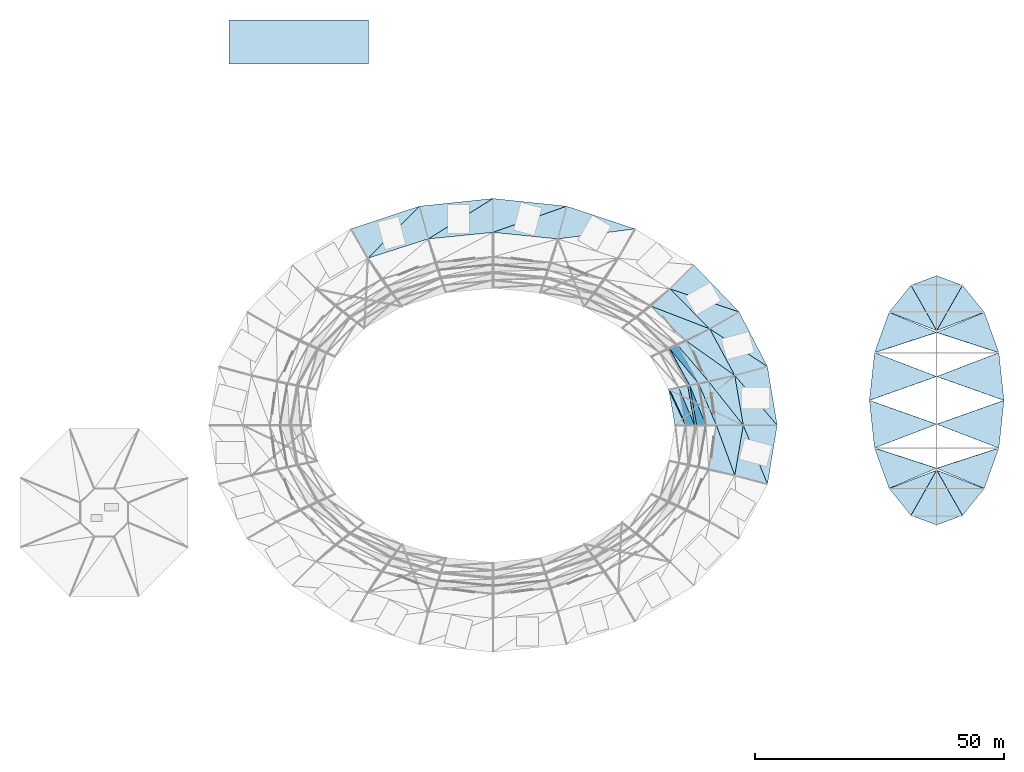
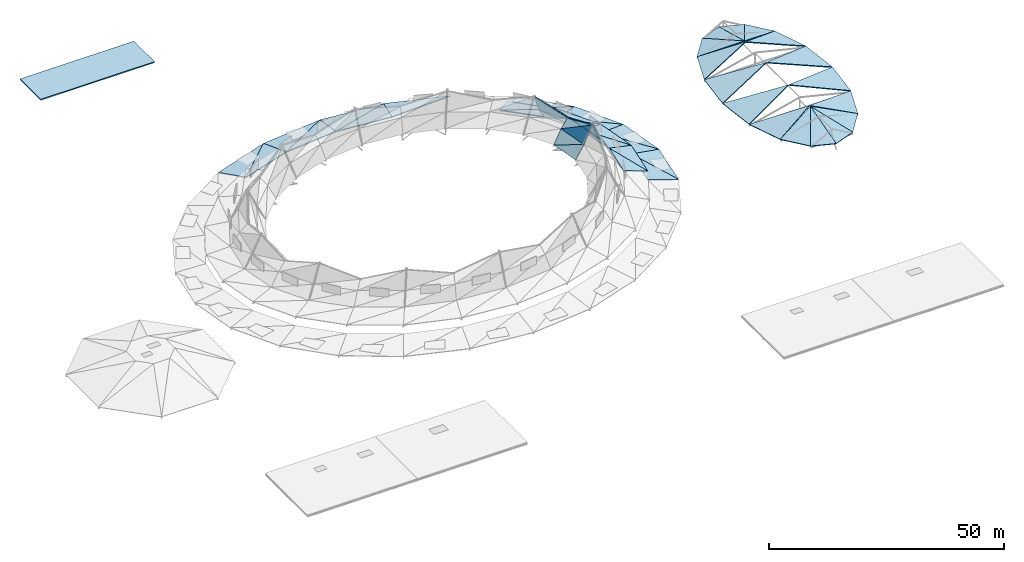
# One storey, part 31 of 36: 52 slabs.
"""IFC4 building model written with IfcOpenShell, lengths in metres."""

from ifc_helpers import new_model, si_unit, direction, frame, origin, place, context, subcontext, project, spatial, polyline, outline, extrude, material, layer, layer_set, type_object, element, save


model = new_model("IFC4")

# Units and contexts
model_context = context("Model", 3, precision=1e-05, world=origin(), true_north=direction((0.0, 1.0)))
body_context = subcontext(model_context, "Body", "Model", "MODEL_VIEW")
ifc_project = project(units=[si_unit("LENGTHUNIT", "METRE"), si_unit("AREAUNIT", "SQUARE_METRE"), si_unit("VOLUMEUNIT", "CUBIC_METRE"), si_unit("PLANEANGLEUNIT", "RADIAN"), si_unit("MASSUNIT", "GRAM", prefix="KILO")], contexts=[model_context])

# Site, building, storey
site_placement = place(None, origin())
site = spatial("IfcSite", under=ifc_project, at=site_placement, CompositionType="ELEMENT")
building_placement = place(site_placement, origin())
building = spatial("IfcBuilding", under=site, at=building_placement, Name="Kildeholm Park Wholesale Market", CompositionType="ELEMENT")
storey_placement = place(building_placement, frame((0.0, 0.0, 17.39990234375)))
storey = spatial("IfcBuildingStorey", under=building, at=storey_placement, Name="Roof", CompositionType="ELEMENT", Elevation=17.39990234375)

# Slabs
ifc_material = material(Name="Concrete C35/45", Category="concrete")
ifc_layer_1 = layer(ifc_material, 0.280029296875)
ifc_layer_set_1 = layer_set([ifc_layer_1], Name="Concrete C35/45")
slab_type_1 = type_object("IfcSlabType", Name="Slab S-RF1 280 mm", PredefinedType="ROOF", material=ifc_layer_set_1)
slab_1_placement = place(storey_placement, frame((0.0, 0.0, -0.39990234375)))
element("IfcSlab", 1, at=slab_1_placement, inside=storey, type_object=slab_type_1, Name="Roof garden conservatory roof slab SLB-0404", PredefinedType="ROOF", context=body_context, shape_type="SweptSolid", body=[
    extrude(outline(polyline([(46.0, 162.0), (74.0, 162.0), (74.0, 170.800048828125), (46.0, 170.800048828125), (46.0, 162.0)])), origin(), (0.0, 0.0, 1.0), 0.280029296875),
])
ifc_layer_2 = layer(ifc_material, 0.219970703125)
ifc_layer_set_2 = layer_set([ifc_layer_2], Name="Concrete C35/45")
slab_type_2 = type_object("IfcSlabType", Name="Slab S-RF2 220 mm", PredefinedType="ROOF", material=ifc_layer_set_2)
slab_2_placement = place(storey_placement, frame((156.0, 89.5, -7.599853515625), z_axis=(0.16527314387, 0.027254272636, 0.985871184556), x_axis=(-0.162706979486, 0.98667443406, 0.0)))
element("IfcSlab", 2, at=slab_2_placement, inside=storey, type_object=slab_type_2, Name="Outer white ceramic rim band 1 sector 1A SLB-0013", PredefinedType="ROOF", context=body_context, shape_type="SweptSolid", body=[
    extrude(outline(polyline([(0.0, 0.0), (11.934918449036942, 2.220446049250313e-16), (11.267439781145972, 6.864873612731286), (0.0, 0.0)])), origin(), (0.0, 0.0, -1.0), 0.219970703125),
])
slab_3_placement = place(storey_placement, frame((156.0, 89.5, -7.599853515625), z_axis=(0.166667353474, 0.028469868209, 0.985602079893), x_axis=(-0.645064804758, 0.759141409598, 0.087153415863)))
element("IfcSlab", 3, at=slab_3_placement, inside=storey, type_object=slab_type_2, Name="Outer white ceramic rim band 1 sector 1B SLB-0014", PredefinedType="ROOF", context=body_context, shape_type="SweptSolid", body=[
    extrude(outline(polyline([(0.0, 0.0), (13.194002006234692, 2.7755575615628914e-16), (4.486690086824522, 5.237609333449421), (0.0, 0.0)])), origin(), (0.0, 0.0, -1.0), 0.219970703125),
])
slab_4_placement = place(storey_placement, frame((149.199951171875, 89.5, -4.199951171875), z_axis=(0.206988876477, 0.035357530501, 0.977704173077), x_axis=(-0.168379597692, 0.985722228156, 0.0)))
element("IfcSlab", 4, at=slab_4_placement, inside=storey, type_object=slab_type_2, Name="Upper white ceramic rim band 2 sector 1A SLB-0015", PredefinedType="ROOF", context=body_context, shape_type="SweptSolid", body=[
    extrude(outline(polyline([(0.0, 0.0), (10.161192468984085, 0.0), (9.789510059718923, 5.477226479887153), (0.0, 0.0)])), origin(), (0.0, 0.0, -1.0), 0.219970703125),
])
slab_5_placement = place(storey_placement, frame((149.199951171875, 89.5, -4.199951171875), z_axis=(0.208183354395, 0.036341451265, 0.977414441203), x_axis=(-0.61751202142, 0.779850236194, 0.102530544282)))
element("IfcSlab", 5, at=slab_5_placement, inside=storey, type_object=slab_type_2, Name="Upper white ceramic rim band 2 sector 1B SLB-0016", PredefinedType="ROOF", context=body_context, shape_type="SweptSolid", body=[
    extrude(outline(polyline([(0.0, 0.0), (11.217598545201865, -5.551115123125783e-17), (3.452429756806185, 4.308423265172087), (0.0, 0.0)])), origin(), (0.0, 0.0, -1.0), 0.219970703125),
])
slab_6_placement = place(storey_placement, frame((143.800048828125, 89.5, -3.0498046875), z_axis=(0.822403491991, 0.143562565372, 0.550492766696), x_axis=(-0.171964181022, 0.985103202941, 0.0)))
element("IfcSlab", 6, at=slab_6_placement, inside=storey, type_object=slab_type_2, Name="Arched gable roof facet 1-LOA SLB-0017", PredefinedType="ROOF", context=body_context, shape_type="SweptSolid", body=[
    extrude(outline(polyline([(0.0, 0.0), (8.880335429709316, -1.1102230246251565e-16), (8.824015839506544, 3.713111211988724), (0.0, 0.0)])), origin(), (0.0, 0.0, -1.0), 0.219970703125),
])
slab_7_placement = place(storey_placement, frame((143.800048828125, 89.5, -3.0498046875), z_axis=(0.822403472037, 0.14356254375, 0.550492802145), x_axis=(-0.368834159579, 0.871272838416, 0.323797782215)))
element("IfcSlab", 7, at=slab_7_placement, inside=storey, type_object=slab_type_2, Name="Arched gable roof facet 1-LOB SLB-0018", PredefinedType="ROOF", context=body_context, shape_type="SweptSolid", body=[
    extrude(outline(polyline([(0.0, 0.0), (9.573424173641252, -4.440892098500626e-16), (1.7690385651948821, 3.2840549232391565), (0.0, 0.0)])), origin(), (0.0, 0.0, -1.0), 0.219970703125),
])
slab_8_placement = place(storey_placement, frame((141.72509765625, 89.5, 0.050048828125), z_axis=(0.713825715212, 0.12460870966, 0.689148400404), x_axis=(-0.171964159938, 0.985103206622, 0.0)))
element("IfcSlab", 8, at=slab_8_placement, inside=storey, type_object=slab_type_2, Name="Arched gable roof facet 1-UOA SLB-0019", PredefinedType="ROOF", context=body_context, shape_type="SweptSolid", body=[
    extrude(outline(polyline([(0.0, 0.0), (8.467198560573395, -1.1102230246251565e-16), (8.41626215504479, 2.648208295654954), (0.0, 0.0)])), origin(), (0.0, 0.0, -1.0), 0.219970703125),
])
slab_9_placement = place(storey_placement, frame((141.72509765625, 89.5, 0.050048828125), z_axis=(0.887586127314, 0.271569952327, 0.37207610457), x_axis=(-0.367799306785, 0.904113342605, 0.21749191629)))
element("IfcSlab", 9, at=slab_9_placement, inside=storey, type_object=slab_type_2, Name="Arched gable roof facet 1-UOB SLB-0020", PredefinedType="ROOF", context=body_context, shape_type="SweptSolid", body=[
    extrude(outline(polyline([(0.0, 0.0), (8.823064991238299, 2.220446049250313e-16), (1.6446728798146282, 4.507445040057246), (0.0, 0.0)])), origin(), (0.0, 0.0, -1.0), 0.219970703125),
])
slab_10_placement = place(storey_placement, frame((139.429931640625, 89.5, 4.47509765625), z_axis=(-0.736923773726, 0.083994905801, 0.670737062877), x_axis=(-0.164661849727, 0.940056245621, -0.298631428877)))
element("IfcSlab", 10, at=slab_10_placement, inside=storey, type_object=slab_type_2, Name="Arched gable roof facet 1-UIA SLB-0021", PredefinedType="ROOF", context=body_context, shape_type="SweptSolid", body=[
    extrude(outline(polyline([(0.0, 0.0), (8.391961706941895, 0.0), (8.917255299751853, 2.595414230313864), (0.0, 0.0)])), origin(), (0.0, 0.0, -1.0), 0.219970703125),
])
slab_11_placement = place(storey_placement, frame((139.429931640625, 89.5, 4.47509765625), z_axis=(-0.910497410658, -0.15910515391, 0.381680514548), x_axis=(-0.341318556742, 0.810237257849, -0.476463250227)))
element("IfcSlab", 11, at=slab_11_placement, inside=storey, type_object=slab_type_2, Name="Arched gable roof facet 1-UIB SLB-0022", PredefinedType="ROOF", context=body_context, shape_type="SweptSolid", body=[
    extrude(outline(polyline([(0.0, 0.0), (9.28728254700309, -4.440892098500626e-16), (2.741512403441939, 3.937781026480321), (0.0, 0.0)])), origin(), (0.0, 0.0, -1.0), 0.219970703125),
])
slab_12_placement = place(storey_placement, frame((137.574951171875, 89.5, 0.050048828125), z_axis=(-0.833860831999, -0.145713271077, 0.532394360873), x_axis=(-0.172136895087, 0.985073037571, 0.0)))
element("IfcSlab", 12, at=slab_12_placement, inside=storey, type_object=slab_type_2, Name="Arched gable roof facet 1-LIA SLB-0023", PredefinedType="ROOF", context=body_context, shape_type="SweptSolid", body=[
    extrude(outline(polyline([(0.0, 0.0), (7.638928340077879, -2.220446049250313e-16), (7.582967129442969, 3.839354541248903), (0.0, 0.0)])), origin(), (0.0, 0.0, -1.0), 0.219970703125),
])
slab_13_placement = place(storey_placement, frame((137.574951171875, 89.5, 0.050048828125), z_axis=(-0.833868142497, -0.145723141349, 0.532380209065), x_axis=(-0.390474192702, 0.837448513185, -0.382374021866)))
element("IfcSlab", 13, at=slab_13_placement, inside=storey, type_object=slab_type_2, Name="Arched gable roof facet 1-LIB SLB-0024", PredefinedType="ROOF", context=body_context, shape_type="SweptSolid", body=[
    extrude(outline(polyline([(0.0, 0.0), (8.499531385883644, 0.0), (2.0529304548001828, 3.263954490096232), (0.0, 0.0)])), origin(), (0.0, 0.0, -1.0), 0.219970703125),
])
slab_14_placement = place(storey_placement, frame((154.05810546875, 101.27587890625, -7.599853515625), z_axis=(0.148141549145, 0.076878707829, 0.98597350152), x_axis=(-0.460622041592, 0.887596380569, 0.0)))
element("IfcSlab", 14, at=slab_14_placement, inside=storey, type_object=slab_type_2, Name="Outer white ceramic rim band 1 sector 2A SLB-0025", PredefinedType="ROOF", context=body_context, shape_type="SweptSolid", body=[
    extrude(outline(polyline([(0.0, 0.0), (12.36386417744238, 0.0), (12.058687680719101, 6.889688707926563), (0.0, 0.0)])), origin(), (0.0, 0.0, -1.0), 0.219970703125),
])
slab_15_placement = place(storey_placement, frame((154.05810546875, 101.27587890625, -7.599853515625), z_axis=(0.150765337382, 0.081002060974, 0.985245390328), x_axis=(-0.834093305664, 0.545374108812, 0.082797577763)))
element("IfcSlab", 15, at=slab_15_placement, inside=storey, type_object=slab_type_2, Name="Outer white ceramic rim band 1 sector 2B SLB-0026", PredefinedType="ROOF", context=body_context, shape_type="SweptSolid", body=[
    extrude(outline(polyline([(0.0, 0.0), (13.888115749562916, 1.1379786002407855e-15), (4.614714011340161, 5.126054241266337), (0.0, 0.0)])), origin(), (0.0, 0.0, -1.0), 0.219970703125),
])
slab_16_placement = place(storey_placement, frame((147.489013671875, 99.51611328125, -4.199951171875), z_axis=(0.187533000933, 0.100756313354, 0.977077038355), x_axis=(-0.473287580572, 0.880907978211, 0.0)))
element("IfcSlab", 16, at=slab_16_placement, inside=storey, type_object=slab_type_2, Name="Upper white ceramic rim band 2 sector 2A SLB-0027", PredefinedType="ROOF", context=body_context, shape_type="SweptSolid", body=[
    extrude(outline(polyline([(0.0, 0.0), (10.595867679566283, 0.0), (10.65057582443242, 5.402639584274721), (0.0, 0.0)])), origin(), (0.0, 0.0, -1.0), 0.219970703125),
])
slab_17_placement = place(storey_placement, frame((147.489013671875, 99.51611328125, -4.199951171875), z_axis=(0.189918860125, 0.104253452747, 0.976248966278), x_axis=(-0.811464841113, 0.576411111504, 0.096307020368)))
element("IfcSlab", 17, at=slab_17_placement, inside=storey, type_object=slab_type_2, Name="Upper white ceramic rim band 2 sector 2B SLB-0028", PredefinedType="ROOF", context=body_context, shape_type="SweptSolid", body=[
    extrude(outline(polyline([(0.0, 0.0), (11.942498895522512, 3.608224830031759e-16), (3.6124925269011197, 4.1337701276701075), (0.0, 0.0)])), origin(), (0.0, 0.0, -1.0), 0.219970703125),
])
slab_18_placement = place(storey_placement, frame((142.27294921875, 98.248046875, -3.0498046875), z_axis=(0.741572301252, 0.407076331526, 0.533253581635), x_axis=(-0.481203038707, 0.876609169208, 0.0)))
element("IfcSlab", 18, at=slab_18_placement, inside=storey, type_object=slab_type_2, Name="Arched gable roof facet 2-LOA SLB-0029", PredefinedType="ROOF", context=body_context, shape_type="SweptSolid", body=[
    extrude(outline(polyline([(0.0, 0.0), (9.299304359450266, 0.0), (9.474310271452685, 3.664322427375304), (0.0, 0.0)])), origin(), (0.0, 0.0, -1.0), 0.219970703125),
])
slab_19_placement = place(storey_placement, frame((142.27294921875, 98.248046875, -3.0498046875), z_axis=(0.741678401193, 0.407301055778, 0.532934329131), x_axis=(-0.61742717677, 0.725026299791, 0.305156592583)))
element("IfcSlab", 19, at=slab_19_placement, inside=storey, type_object=slab_type_2, Name="Arched gable roof facet 2-LOB SLB-0030", PredefinedType="ROOF", context=body_context, shape_type="SweptSolid", body=[
    extrude(outline(polyline([(0.0, 0.0), (10.158238723889072, -4.440892098500626e-16), (1.88813395537198, 3.1977049481477087), (0.0, 0.0)])), origin(), (0.0, 0.0, -1.0), 0.219970703125),
])
slab_20_placement = place(storey_placement, frame((140.26904296875, 97.841064453125, 0.050048828125), z_axis=(0.815245958771, 0.447701509431, 0.36733824353), x_axis=(-0.481354223541, 0.87652616132, 0.0)))
element("IfcSlab", 20, at=slab_20_placement, inside=storey, type_object=slab_type_2, Name="Arched gable roof facet 2-UOA SLB-0031", PredefinedType="ROOF", context=body_context, shape_type="SweptSolid", body=[
    extrude(outline(polyline([(0.0, 0.0), (8.866789149272552, -2.220446049250313e-16), (9.021479592334513, 4.725383250547976), (0.0, 0.0)])), origin(), (0.0, 0.0, -1.0), 0.219970703125),
])
slab_21_placement = place(storey_placement, frame((140.26904296875, 97.841064453125, 0.050048828125), z_axis=(0.707112353238, 0.157998232282, 0.689223242857), x_axis=(-0.575799629285, 0.694416414568, 0.431556056722)))
element("IfcSlab", 21, at=slab_21_placement, inside=storey, type_object=slab_type_2, Name="Arched gable roof facet 2-UOB SLB-0032", PredefinedType="ROOF", context=body_context, shape_type="SweptSolid", body=[
    extrude(outline(polyline([(0.0, 0.0), (10.184121999439492, 0.0), (1.6054969275182156, 2.1066516822468455), (0.0, 0.0)])), origin(), (0.0, 0.0, -1.0), 0.219970703125),
])
slab_22_placement = place(storey_placement, frame((148.363037109375, 112.25, -7.599853515625), z_axis=(0.120236411045, 0.115579224359, 0.985994243571), x_axis=(-0.693006803532, 0.720931044039, 0.0)))
element("IfcSlab", 22, at=slab_22_placement, inside=storey, type_object=slab_type_2, Name="Outer white ceramic rim band 1 sector 3A SLB-0037", PredefinedType="ROOF", context=body_context, shape_type="SweptSolid", body=[
    extrude(outline(polyline([(0.0, 0.0), (13.070730940282242, -8.881784197001252e-16), (12.936299055677074, 6.894752513155697), (0.0, 0.0)])), origin(), (0.0, 0.0, -1.0), 0.219970703125),
])
slab_23_placement = place(storey_placement, frame((148.363037109375, 112.25, -7.599853515625), z_axis=(0.122153016428, 0.121576278862, 0.985036978491), x_axis=(-0.945903114394, 0.314823603687, 0.078443589555)))
element("IfcSlab", 23, at=slab_23_placement, inside=storey, type_object=slab_type_2, Name="Outer white ceramic rim band 1 sector 3B SLB-0038", PredefinedType="ROOF", context=body_context, shape_type="SweptSolid", body=[
    extrude(outline(polyline([(0.0, 0.0), (14.658971501288155, -3.0531133177191805e-16), (4.59017695902169, 5.146962081767215), (0.0, 0.0)])), origin(), (0.0, 0.0, -1.0), 0.219970703125),
])
slab_24_placement = place(storey_placement, frame((142.47412109375, 108.85009765625, -4.199951171875), z_axis=(0.154449000774, 0.153719779807, 0.975969126282), x_axis=(-0.705431576708, 0.708778026313, 0.0)))
element("IfcSlab", 24, at=slab_24_placement, inside=storey, type_object=slab_type_2, Name="Upper white ceramic rim band 2 sector 3A SLB-0039", PredefinedType="ROOF", context=body_context, shape_type="SweptSolid", body=[
    extrude(outline(polyline([(0.0, 0.0), (11.308043252726108, 0.0), (11.546173044470306, 5.278108314587524), (0.0, 0.0)])), origin(), (0.0, 0.0, -1.0), 0.219970703125),
])
slab_25_placement = place(storey_placement, frame((142.47412109375, 108.85009765625, -4.199951171875), z_axis=(0.15640583091, 0.159089692127, 0.974796227894), x_axis=(-0.92916852284, 0.358382858862, 0.090595709814)))
element("IfcSlab", 25, at=slab_25_placement, inside=storey, type_object=slab_type_2, Name="Upper white ceramic rim band 2 sector 3B SLB-0040", PredefinedType="ROOF", context=body_context, shape_type="SweptSolid", body=[
    extrude(outline(polyline([(0.0, 0.0), (12.695374722841807, 8.326672684688674e-16), (3.570905941247749, 4.054644030916692), (0.0, 0.0)])), origin(), (0.0, 0.0, -1.0), 0.219970703125),
])
slab_26_placement = place(storey_placement, frame((127.5, 128.904052734375, -7.599853515625), z_axis=(0.052428977126, 0.158548380453, 0.985958220927), x_axis=(-0.949435985478, 0.313960681424, 0.0)))
element("IfcSlab", 26, at=slab_26_placement, inside=storey, type_object=slab_type_2, Name="Outer white ceramic rim band 1 sector 5A SLB-0061", PredefinedType="ROOF", context=body_context, shape_type="SweptSolid", body=[
    extrude(outline(polyline([(0.0, 0.0), (14.479196620699776, 8.881784197001252e-16), (14.087853340652858, 6.885965418402882), (0.0, 0.0)])), origin(), (0.0, 0.0, -1.0), 0.219970703125),
])
slab_27_placement = place(storey_placement, frame((113.7529296875, 133.449951171875, -7.599853515625), z_axis=(0.017515683595, 0.166709360257, 0.985850490709), x_axis=(-0.99452572496, 0.104492020715, 0.0)))
element("IfcSlab", 27, at=slab_27_placement, inside=storey, type_object=slab_type_2, Name="Outer white ceramic rim band 1 sector 6A SLB-0073", PredefinedType="ROOF", context=body_context, shape_type="SweptSolid", body=[
    extrude(outline(polyline([(0.0, 0.0), (14.834135827000187, 2.220446049250313e-16), (14.123584983988293, 6.859887532936747), (0.0, 0.0)])), origin(), (0.0, 0.0, -1.0), 0.219970703125),
])
slab_28_placement = place(storey_placement, frame((113.7529296875, 133.449951171875, -7.599853515625), z_axis=(0.017050073815, 0.167972580225, 0.985644209274), x_axis=(-0.939593745358, -0.334365259485, 0.073235694391)))
element("IfcSlab", 28, at=slab_28_placement, inside=storey, type_object=slab_type_2, Name="Outer white ceramic rim band 1 sector 6B SLB-0074", PredefinedType="ROOF", context=body_context, shape_type="SweptSolid", body=[
    extrude(outline(polyline([(0.0, 0.0), (15.701391969009643, 1.3877787807814457e-16), (3.9343025152788145, 5.664885967479753), (0.0, 0.0)])), origin(), (0.0, 0.0, -1.0), 0.219970703125),
])
slab_29_placement = place(storey_placement, frame((99.0, 135.0, -7.599853515625), z_axis=(-0.017632307768, 0.1678193564, 0.985660065814), x_axis=(-0.99452572496, -0.104492020715, 0.0)))
element("IfcSlab", 29, at=slab_29_placement, inside=storey, type_object=slab_type_2, Name="Outer white ceramic rim band 1 sector 7A SLB-0085", PredefinedType="ROOF", context=body_context, shape_type="SweptSolid", body=[
    extrude(outline(polyline([(0.0, 0.0), (14.834135827000187, -2.220446049250313e-16), (13.770153004276583, 6.814514645903062), (0.0, 0.0)])), origin(), (0.0, 0.0, -1.0), 0.219970703125),
])
slab_30_placement = place(storey_placement, frame((99.0, 135.0, -7.599853515625), z_axis=(-0.016922023574, 0.166711064899, 0.985860571257), x_axis=(-0.84566900647, -0.528433882827, 0.07484359008)))
element("IfcSlab", 30, at=slab_30_placement, inside=storey, type_object=slab_type_2, Name="Outer white ceramic rim band 1 sector 7B SLB-0086", PredefinedType="ROOF", context=body_context, shape_type="SweptSolid", body=[
    extrude(outline(polyline([(0.0, 0.0), (15.364072494635488, 1.8041124150158794e-15), (3.67943902530677, 5.833066768355692), (0.0, 0.0)])), origin(), (0.0, 0.0, -1.0), 0.219970703125),
])
slab_31_placement = place(storey_placement, frame((84.2470703125, 133.449951171875, -7.599853515625), z_axis=(-0.053426686324, 0.161565513079, 0.985414721918), x_axis=(-0.949435985478, -0.313960681424, 0.0)))
element("IfcSlab", 31, at=slab_31_placement, inside=storey, type_object=slab_type_2, Name="Outer white ceramic rim band 1 sector 8A SLB-0097", PredefinedType="ROOF", context=body_context, shape_type="SweptSolid", body=[
    extrude(outline(polyline([(0.0, 0.0), (14.479196620699776, 0.0), (13.100171724101912, 6.757374418198555), (0.0, 0.0)])), origin(), (0.0, 0.0, -1.0), 0.219970703125),
])
slab_32_placement = place(storey_placement, frame((84.2470703125, 133.449951171875, -7.599853515625), z_axis=(-0.050772176042, 0.158994883943, 0.985973028546), x_axis=(-0.701964278911, -0.707926884272, 0.078010753473)))
element("IfcSlab", 32, at=slab_32_placement, inside=storey, type_object=slab_type_2, Name="Outer white ceramic rim band 1 sector 8B SLB-0098", PredefinedType="ROOF", context=body_context, shape_type="SweptSolid", body=[
    extrude(outline(polyline([(0.0, 0.0), (14.74030556768358, 1.887379141862766e-15), (3.504504616799716, 5.940380181192759), (0.0, 0.0)])), origin(), (0.0, 0.0, -1.0), 0.219970703125),
])
slab_33_placement = place(storey_placement, frame((154.05810546875, 77.72412109375, -7.599853515625), z_axis=(0.166671949768, -0.027484941918, 0.985629260487), x_axis=(0.162706979486, 0.98667443406, 0.0)))
element("IfcSlab", 33, at=slab_33_placement, inside=storey, type_object=slab_type_2, Name="Outer white ceramic rim band 1 sector 24A SLB-0289", PredefinedType="ROOF", context=body_context, shape_type="SweptSolid", body=[
    extrude(outline(polyline([(0.0, 0.0), (11.934918449036942, 0.0), (10.828503043857994, 6.807259684794508), (0.0, 0.0)])), origin(), (0.0, 0.0, -1.0), 0.219970703125),
])
slab_34_placement = place(storey_placement, frame((154.05810546875, 77.72412109375, -7.599853515625), z_axis=(0.165025307564, -0.028189376381, 0.985886406703), x_axis=(-0.379827095461, 0.920678432207, 0.089903292609)))
element("IfcSlab", 34, at=slab_34_placement, inside=storey, type_object=slab_type_2, Name="Outer white ceramic rim band 1 sector 24B SLB-0290", PredefinedType="ROOF", context=body_context, shape_type="SweptSolid", body=[
    extrude(outline(polyline([(0.0, 0.0), (12.790436372034792, -7.216449660063518e-16), (4.218677320585707, 5.4566270859973205), (0.0, 0.0)])), origin(), (0.0, 0.0, -1.0), 0.219970703125),
])
slab_35_placement = place(storey_placement, frame((147.489013671875, 79.48388671875, -4.199951171875), z_axis=(0.208189191671, -0.035562566549, 0.977441847033), x_axis=(0.168379597692, 0.985722228156, 0.0)))
element("IfcSlab", 35, at=slab_35_placement, inside=storey, type_object=slab_type_2, Name="Upper white ceramic rim band 2 sector 24A SLB-0291", PredefinedType="ROOF", context=body_context, shape_type="SweptSolid", body=[
    extrude(outline(polyline([(0.0, 0.0), (10.161192468984085, 0.0), (9.251959084766586, 5.445647519862199), (0.0, 0.0)])), origin(), (0.0, 0.0, -1.0), 0.219970703125),
])
slab_36_placement = place(storey_placement, frame((147.489013671875, 79.48388671875, -4.199951171875), z_axis=(0.206810284342, -0.036101761793, 0.977714768778), x_axis=(-0.343618743042, 0.932978329057, 0.107133547219)))
element("IfcSlab", 36, at=slab_36_placement, inside=storey, type_object=slab_type_2, Name="Upper white ceramic rim band 2 sector 24B SLB-0292", PredefinedType="ROOF", context=body_context, shape_type="SweptSolid", body=[
    extrude(outline(polyline([(0.0, 0.0), (10.735633368217092, -6.106226635438361e-16), (3.0986352605393166, 4.531734463478261), (0.0, 0.0)])), origin(), (0.0, 0.0, -1.0), 0.219970703125),
])
slab_37_placement = place(storey_placement, frame((201.5, 94.5, -5.199951171875), z_axis=(0.225025317589, 0.024181636614, 0.974052798823), x_axis=(-0.106846684142, 0.99427550814, 0.0)))
element("IfcSlab", 37, at=slab_37_placement, inside=storey, type_object=slab_type_2, Name="Oval hall pitched roof facet 1 SLB-0307", PredefinedType="ROOF", context=body_context, shape_type="SweptSolid", body=[
    extrude(outline(polyline([(0.0, 0.0), (9.621975451394496, 0.0), (6.198980182694082, 13.255515229941848), (0.0, 0.0)])), origin(), (0.0, 0.0, -1.0), 0.219970703125),
])
slab_38_placement = place(storey_placement, frame((200.471923828125, 104.06689453125, -5.199951171875), z_axis=(0.261749311056, 0.094424509918, 0.960505757447), x_axis=(-0.339339006409, 0.940664147679, 0.0)))
element("IfcSlab", 38, at=slab_38_placement, inside=storey, type_object=slab_type_2, Name="Oval hall pitched roof facet 2 SLB-0308", PredefinedType="ROOF", context=body_context, shape_type="SweptSolid", body=[
    extrude(outline(polyline([(0.0, 0.0), (8.62272045170008, -4.440892098500626e-16), (8.047687327139169, 10.781279353345056), (0.0, 0.0)])), origin(), (0.0, 0.0, -1.0), 0.219970703125),
])
slab_39_placement = place(storey_placement, frame((197.5458984375, 112.177978515625, -5.199951171875), z_axis=(0.229017127227, 0.185103949471, 0.955660862088), x_axis=(-0.628601322688, 0.777727701136, 0.0)))
element("IfcSlab", 39, at=slab_39_placement, inside=storey, type_object=slab_type_2, Name="Oval hall pitched roof facet 3 SLB-0309", PredefinedType="ROOF", context=body_context, shape_type="SweptSolid", body=[
    extrude(outline(polyline([(0.0, 0.0), (6.967664009630389, 0.0), (3.1400986082731146, 10.187810543526282), (0.0, 0.0)])), origin(), (0.0, 0.0, -1.0), 0.219970703125),
])
slab_40_placement = place(storey_placement, frame((193.166015625, 117.596923828125, -5.199951171875), z_axis=(0.096476034659, 0.261890044053, 0.960263494861), x_axis=(-0.93835447313, 0.345674532989, 0.0)))
element("IfcSlab", 40, at=slab_40_placement, inside=storey, type_object=slab_type_2, Name="Oval hall pitched roof facet 4 SLB-0310", PredefinedType="ROOF", context=body_context, shape_type="SweptSolid", body=[
    extrude(outline(polyline([(0.0, 0.0), (5.5053988369329385, 0.0), (1.702978974053892, 10.749028011238174), (0.0, 0.0)])), origin(), (0.0, 0.0, -1.0), 0.219970703125),
])
slab_41_placement = place(storey_placement, frame((188.0, 119.5, -5.199951171875), z_axis=(-0.096476034659, 0.261890044053, 0.960263494861), x_axis=(-0.93835447313, -0.345674532989, 0.0)))
element("IfcSlab", 41, at=slab_41_placement, inside=storey, type_object=slab_type_2, Name="Oval hall pitched roof facet 5 SLB-0311", PredefinedType="ROOF", context=body_context, shape_type="SweptSolid", body=[
    extrude(outline(polyline([(0.0, 0.0), (5.5053988369329385, 0.0), (3.802419862879046, 10.749028011238174), (0.0, 0.0)])), origin(), (0.0, 0.0, -1.0), 0.219970703125),
])
slab_42_placement = place(storey_placement, frame((182.833984375, 117.596923828125, -5.199951171875), z_axis=(-0.229017127227, 0.185103949471, 0.955660862088), x_axis=(-0.628601322688, -0.777727701136, 0.0)))
element("IfcSlab", 42, at=slab_42_placement, inside=storey, type_object=slab_type_2, Name="Oval hall pitched roof facet 6 SLB-0312", PredefinedType="ROOF", context=body_context, shape_type="SweptSolid", body=[
    extrude(outline(polyline([(0.0, 0.0), (6.967664009630389, 0.0), (3.8275654013572744, 10.187810543526282), (0.0, 0.0)])), origin(), (0.0, 0.0, -1.0), 0.219970703125),
])
slab_43_placement = place(storey_placement, frame((178.4541015625, 112.177978515625, -5.199951171875), z_axis=(-0.261749311056, 0.094424509918, 0.960505757447), x_axis=(-0.339339006409, -0.940664147679, 0.0)))
element("IfcSlab", 43, at=slab_43_placement, inside=storey, type_object=slab_type_2, Name="Oval hall pitched roof facet 7 SLB-0313", PredefinedType="ROOF", context=body_context, shape_type="SweptSolid", body=[
    extrude(outline(polyline([(0.0, 0.0), (8.62272045170008, 4.440892098500626e-16), (0.5750331245609108, 10.781279353345056), (0.0, 0.0)])), origin(), (0.0, 0.0, -1.0), 0.219970703125),
])
slab_44_placement = place(storey_placement, frame((175.528076171875, 104.06689453125, -5.199951171875), z_axis=(-0.225025317589, 0.024181636614, 0.974052798823), x_axis=(-0.106846684142, -0.99427550814, 0.0)))
element("IfcSlab", 44, at=slab_44_placement, inside=storey, type_object=slab_type_2, Name="Oval hall pitched roof facet 8 SLB-0314", PredefinedType="ROOF", context=body_context, shape_type="SweptSolid", body=[
    extrude(outline(polyline([(0.0, 0.0), (9.621975451394496, 0.0), (3.4229952687004146, 13.255515229941848), (0.0, 0.0)])), origin(), (0.0, 0.0, -1.0), 0.219970703125),
])
slab_45_placement = place(storey_placement, frame((174.5, 94.5, -5.199951171875), z_axis=(-0.225025317589, -0.024181636614, 0.974052798823), x_axis=(0.106846684142, -0.99427550814, 0.0)))
element("IfcSlab", 45, at=slab_45_placement, inside=storey, type_object=slab_type_2, Name="Oval hall pitched roof facet 9 SLB-0315", PredefinedType="ROOF", context=body_context, shape_type="SweptSolid", body=[
    extrude(outline(polyline([(0.0, 0.0), (9.621975451394496, 0.0), (6.198980182694082, 13.255515229941848), (0.0, 0.0)])), origin(), (0.0, 0.0, -1.0), 0.219970703125),
])
slab_46_placement = place(storey_placement, frame((175.528076171875, 84.93310546875, -5.199951171875), z_axis=(-0.261749311056, -0.094424509918, 0.960505757447), x_axis=(0.339339006409, -0.940664147679, 0.0)))
element("IfcSlab", 46, at=slab_46_placement, inside=storey, type_object=slab_type_2, Name="Oval hall pitched roof facet 10 SLB-0316", PredefinedType="ROOF", context=body_context, shape_type="SweptSolid", body=[
    extrude(outline(polyline([(0.0, 0.0), (8.62272045170008, -4.440892098500626e-16), (8.047687327139169, 10.781279353345056), (0.0, 0.0)])), origin(), (0.0, 0.0, -1.0), 0.219970703125),
])
slab_47_placement = place(storey_placement, frame((178.4541015625, 76.822021484375, -5.199951171875), z_axis=(-0.229017127227, -0.185103949471, 0.955660862088), x_axis=(0.628601322688, -0.777727701136, 0.0)))
element("IfcSlab", 47, at=slab_47_placement, inside=storey, type_object=slab_type_2, Name="Oval hall pitched roof facet 11 SLB-0317", PredefinedType="ROOF", context=body_context, shape_type="SweptSolid", body=[
    extrude(outline(polyline([(0.0, 0.0), (6.967664009630389, 0.0), (3.1400986082731146, 10.187810543526282), (0.0, 0.0)])), origin(), (0.0, 0.0, -1.0), 0.219970703125),
])
slab_48_placement = place(storey_placement, frame((182.833984375, 71.403076171875, -5.199951171875), z_axis=(-0.096476034659, -0.261890044053, 0.960263494861), x_axis=(0.93835447313, -0.345674532989, 0.0)))
element("IfcSlab", 48, at=slab_48_placement, inside=storey, type_object=slab_type_2, Name="Oval hall pitched roof facet 12 SLB-0318", PredefinedType="ROOF", context=body_context, shape_type="SweptSolid", body=[
    extrude(outline(polyline([(0.0, 0.0), (5.5053988369329385, 0.0), (1.702978974053892, 10.749028011238174), (0.0, 0.0)])), origin(), (0.0, 0.0, -1.0), 0.219970703125),
])
slab_49_placement = place(storey_placement, frame((188.0, 69.5, -5.199951171875), z_axis=(0.096476034659, -0.261890044053, 0.960263494861), x_axis=(0.93835447313, 0.345674532989, 0.0)))
element("IfcSlab", 49, at=slab_49_placement, inside=storey, type_object=slab_type_2, Name="Oval hall pitched roof facet 13 SLB-0319", PredefinedType="ROOF", context=body_context, shape_type="SweptSolid", body=[
    extrude(outline(polyline([(0.0, 0.0), (5.5053988369329385, 0.0), (3.802419862879046, 10.749028011238174), (0.0, 0.0)])), origin(), (0.0, 0.0, -1.0), 0.219970703125),
])
slab_50_placement = place(storey_placement, frame((193.166015625, 71.403076171875, -5.199951171875), z_axis=(0.229017127227, -0.185103949471, 0.955660862088), x_axis=(0.628601322688, 0.777727701136, 0.0)))
element("IfcSlab", 50, at=slab_50_placement, inside=storey, type_object=slab_type_2, Name="Oval hall pitched roof facet 14 SLB-0320", PredefinedType="ROOF", context=body_context, shape_type="SweptSolid", body=[
    extrude(outline(polyline([(0.0, 0.0), (6.967664009630389, 0.0), (3.8275654013572744, 10.187810543526282), (0.0, 0.0)])), origin(), (0.0, 0.0, -1.0), 0.219970703125),
])
slab_51_placement = place(storey_placement, frame((197.5458984375, 76.822021484375, -5.199951171875), z_axis=(0.261749311056, -0.094424509918, 0.960505757447), x_axis=(0.339339006409, 0.940664147679, 0.0)))
element("IfcSlab", 51, at=slab_51_placement, inside=storey, type_object=slab_type_2, Name="Oval hall pitched roof facet 15 SLB-0321", PredefinedType="ROOF", context=body_context, shape_type="SweptSolid", body=[
    extrude(outline(polyline([(0.0, 0.0), (8.62272045170008, 4.440892098500626e-16), (0.5750331245609108, 10.781279353345056), (0.0, 0.0)])), origin(), (0.0, 0.0, -1.0), 0.219970703125),
])
slab_52_placement = place(storey_placement, frame((200.471923828125, 84.93310546875, -5.199951171875), z_axis=(0.225025317589, -0.024181636614, 0.974052798823), x_axis=(0.106846684142, 0.99427550814, 0.0)))
element("IfcSlab", 52, at=slab_52_placement, inside=storey, type_object=slab_type_2, Name="Oval hall pitched roof facet 16 SLB-0322", PredefinedType="ROOF", context=body_context, shape_type="SweptSolid", body=[
    extrude(outline(polyline([(0.0, 0.0), (9.621975451394496, 0.0), (3.4229952687004146, 13.255515229941848), (0.0, 0.0)])), origin(), (0.0, 0.0, -1.0), 0.219970703125),
])

save(model, "model.ifc")
